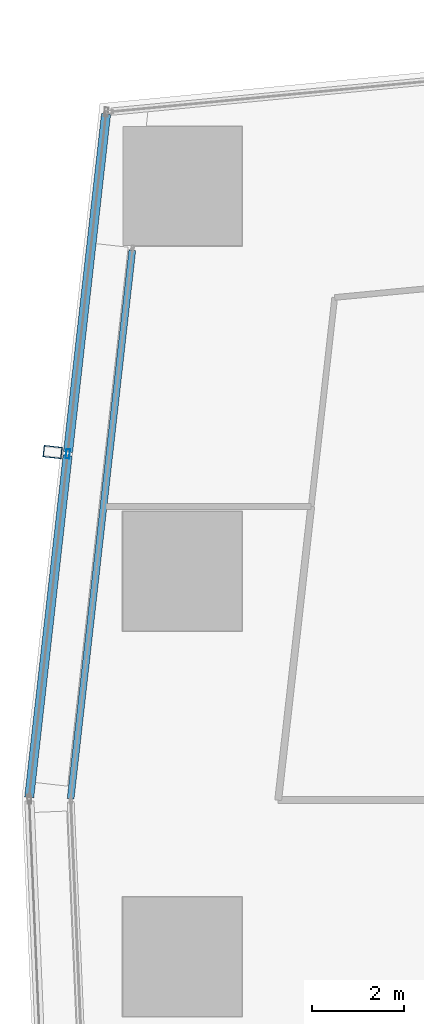
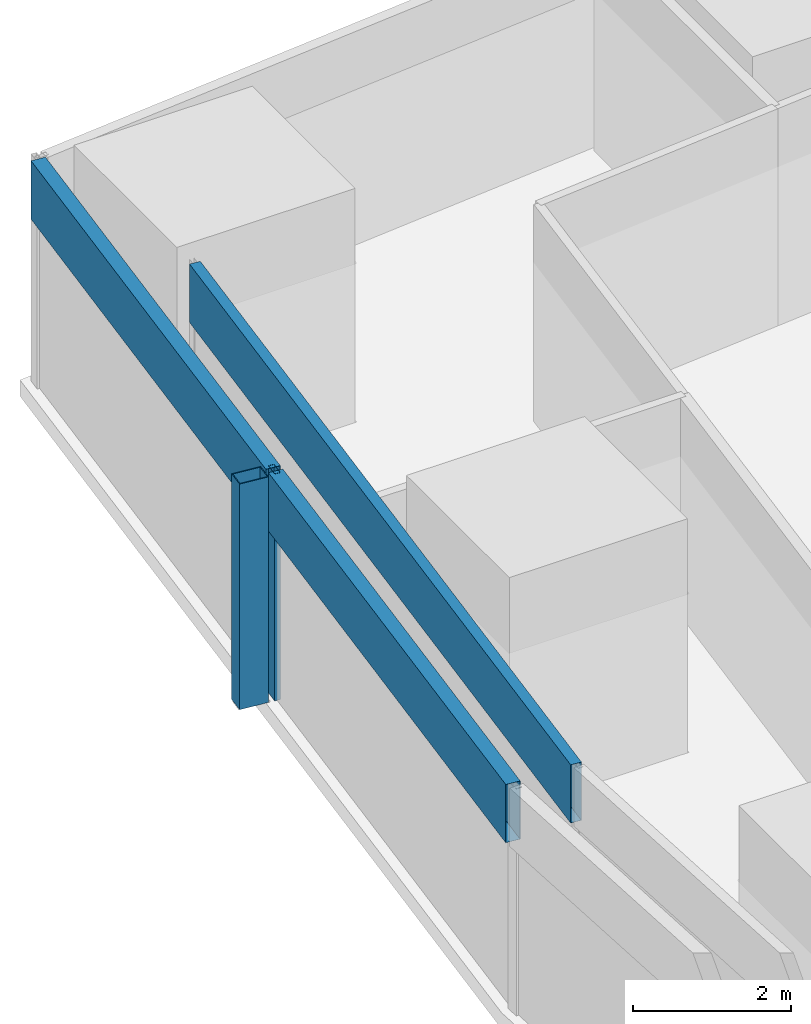
# One storey, part 15 of 46: 5 members, 2 elements without a shape of their own.
"""IFC4 building model written with IfcOpenShell, lengths in metres."""

from ifc_helpers import new_model, si_unit, direction, frame, origin, origin_2d, place, context, subcontext, project, spatial, hollow_rectangle, extrude, material, material_profile, profile_set, type_object, element, aggregate, save


model = new_model("IFC4")

# Units and contexts
model_context = context("Model", 3, precision=1e-05, world=origin(), true_north=direction((0.0, 1.0)))
body_context = subcontext(model_context, "Body", "Model", "MODEL_VIEW")
ifc_project = project(units=[si_unit("LENGTHUNIT", "METRE"), si_unit("AREAUNIT", "SQUARE_METRE"), si_unit("VOLUMEUNIT", "CUBIC_METRE"), si_unit("PLANEANGLEUNIT", "RADIAN"), si_unit("MASSUNIT", "GRAM", prefix="KILO")], contexts=[model_context])

# Site, building, storey
site_placement = place(None, origin())
site = spatial("IfcSite", under=ifc_project, at=site_placement, CompositionType="ELEMENT")
building_placement = place(site_placement, origin())
building = spatial("IfcBuilding", under=site, at=building_placement, Name="Rekha Terrace Tower", CompositionType="ELEMENT")
storey_placement = place(building_placement, frame((0.0, 0.0, 29.14990234375)))
storey = spatial("IfcBuildingStorey", under=building, at=storey_placement, Name="L06", CompositionType="ELEMENT", Elevation=29.14990234375)

# Curtain wall, member
ifc_material_1 = material(Name="Aluminium framing", Category="aluminium")
curtain_wall_type_1 = type_object("IfcCurtainWallType", Name="CW2 double skin outer glazing", PredefinedType="USERDEFINED", material=ifc_material_1)
curtain_wall_1_placement = place(storey_placement, origin())
curtain_wall_1 = element("IfcCurtainWall", 1, at=curtain_wall_1_placement, inside=storey, type_object=curtain_wall_type_1, Name="CW2 double skin outer glazing", ObjectType="DOUBLE SKIN OUTER GLAZING", PredefinedType="USERDEFINED")
ifc_material_2 = material(Name="Steel S355 with fluorocarbon finish", Category="steel")
ifc_material_profile_1 = material_profile(ifc_material_2, hollow_rectangle(XDim=0.25, YDim=0.39990234375, WallThickness=0.012451171875, at=origin_2d()), Name="RHS400x250x12.5")
ifc_profile_set_1 = profile_set([ifc_material_profile_1], Name="Steel S355 with fluorocarbon finish")
member_type_1 = type_object("IfcMemberType", Name="BL1 facade blade RHS 400 x 250", PredefinedType="USERDEFINED", material=ifc_profile_set_1)
member_1_placement = place(storey_placement, frame((5.569580078125, 53.001220703125, 0.02001953125), z_axis=(0.0, 0.0, 1.0), x_axis=(-0.111729096216, -0.993738702607, 0.0)))
member_1 = element("IfcMember", 2, at=member_1_placement, type_object=member_type_1, Name="Facade blade", ObjectType="FACADE BLADE", PredefinedType="USERDEFINED", context=body_context, shape_type="SweptSolid", body=[
    extrude(hollow_rectangle(XDim=0.25, YDim=0.39990234375, WallThickness=0.012451171875, at=origin_2d()), origin(), (0.0, 0.0, 1.0), 3.47998046875),
])

curtain_wall_type_2 = type_object("IfcCurtainWallType", Name="CW1 double skin inner glazing", PredefinedType="USERDEFINED", material=ifc_material_1)
curtain_wall_2_placement = place(storey_placement, origin())
curtain_wall_2 = element("IfcCurtainWall", 3, at=curtain_wall_2_placement, inside=storey, type_object=curtain_wall_type_2, Name="CW1 double skin inner glazing", ObjectType="DOUBLE SKIN INNER GLAZING", PredefinedType="USERDEFINED")
ifc_material_3 = material(Name="Insulated aluminium spandrel box", Category="aluminium")
ifc_material_profile_2 = material_profile(ifc_material_3, hollow_rectangle(XDim=0.14990234375, YDim=0.89990234375, WallThickness=0.0029296875, at=origin_2d()), Name="AL SPANDREL BOX 150x900")
ifc_profile_set_2 = profile_set([ifc_material_profile_2], Name="Insulated aluminium spandrel box")
member_type_2 = type_object("IfcMemberType", Name="CW1 spandrel transom 150 x 900", PredefinedType="USERDEFINED", material=ifc_profile_set_2)
member_2_placement = place(storey_placement, frame((7.307373046875, 57.405029296875, 3.050048828125), z_axis=(-0.111718160306, -0.993739932104, 0.0), x_axis=(0.993739932104, -0.111718160306, 0.0)))
member_2 = element("IfcMember", 4, at=member_2_placement, type_object=member_type_2, Name="CW1 spandrel transom 1", ObjectType="TRANSOM", PredefinedType="USERDEFINED", context=body_context, shape_type="SweptSolid", body=[
    extrude(hollow_rectangle(XDim=0.14990234375, YDim=0.89990234375, WallThickness=0.0029296875, at=origin_2d()), origin(), (0.0, 0.0, 1.0), 12.036865234375),
])
aggregate(curtain_wall_2, [member_2])

# Member
ifc_material_4 = material(Name="Aluminium mullion section", Category="aluminium")
ifc_material_profile_3 = material_profile(ifc_material_4, hollow_rectangle(XDim=0.080078125, YDim=0.199951171875, WallThickness=0.00390625, at=origin_2d()), Name="AL RHS 80x200")
ifc_profile_set_3 = profile_set([ifc_material_profile_3], Name="Aluminium mullion section")
member_type_3 = type_object("IfcMemberType", Name="CW2 mullion RHS 80 x 200", PredefinedType="MULLION", material=ifc_profile_set_3)
member_3_placement = place(storey_placement, frame((5.90234375, 52.9638671875, 0.0), z_axis=(0.0, 0.0, 1.0), x_axis=(0.99373861552, -0.111729870782, 0.0)))
member_3 = element("IfcMember", 5, at=member_3_placement, type_object=member_type_3, Name="CW2 mullion 2", PredefinedType="MULLION", context=body_context, shape_type="SweptSolid", body=[
    extrude(hollow_rectangle(XDim=0.080078125, YDim=0.199951171875, WallThickness=0.00390625, at=origin_2d()), origin(), (0.0, 0.0, 1.0), 3.5),
])

ifc_material_profile_4 = material_profile(ifc_material_3, hollow_rectangle(XDim=0.199951171875, YDim=0.89990234375, WallThickness=0.0029296875, at=origin_2d()), Name="AL SPANDREL BOX 200x900")
ifc_profile_set_4 = profile_set([ifc_material_profile_4], Name="Insulated aluminium spandrel box")
member_type_4 = type_object("IfcMemberType", Name="CW2 spandrel transom 200 x 900", PredefinedType="USERDEFINED", material=ifc_profile_set_4)
member_4_placement = place(storey_placement, frame((6.735595703125, 60.37353515625, 3.050048828125), z_axis=(-0.111728537773, -0.993738765394, 0.0), x_axis=(0.993738765394, -0.111728537773, 0.0)))
member_4 = element("IfcMember", 6, at=member_4_placement, type_object=member_type_4, Name="CW2 spandrel transom 1", ObjectType="TRANSOM", PredefinedType="USERDEFINED", context=body_context, shape_type="SweptSolid", body=[
    extrude(hollow_rectangle(XDim=0.199951171875, YDim=0.89990234375, WallThickness=0.0029296875, at=origin_2d()), origin(), (0.0, 0.0, 1.0), 7.416259765625),
])

member_5_placement = place(storey_placement, frame((5.89794921875, 52.924072265625, 3.050048828125), z_axis=(-0.111739697795, -0.993737510582, 0.0), x_axis=(0.993737510582, -0.111739697795, 0.0)))
member_5 = element("IfcMember", 7, at=member_5_placement, type_object=member_type_4, Name="CW2 spandrel transom 2", ObjectType="TRANSOM", PredefinedType="USERDEFINED", context=body_context, shape_type="SweptSolid", body=[
    extrude(hollow_rectangle(XDim=0.199951171875, YDim=0.89990234375, WallThickness=0.0029296875, at=origin_2d()), origin(), (0.0, 0.0, 1.0), 7.496337890625),
])

aggregate(curtain_wall_1, [member_3, member_4, member_5, member_1])

save(model, "model.ifc")
